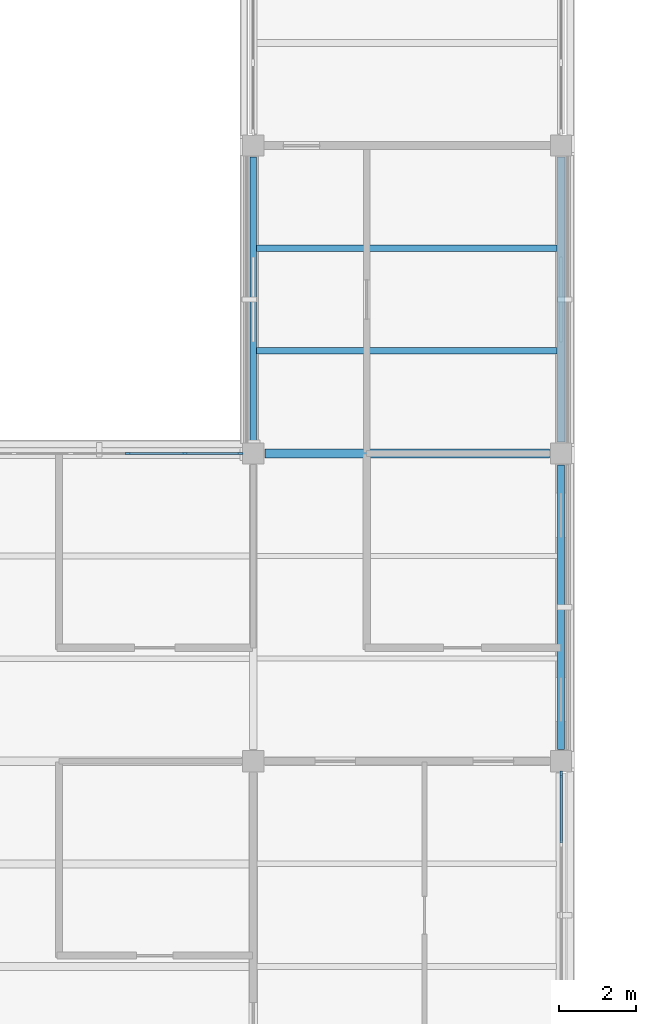
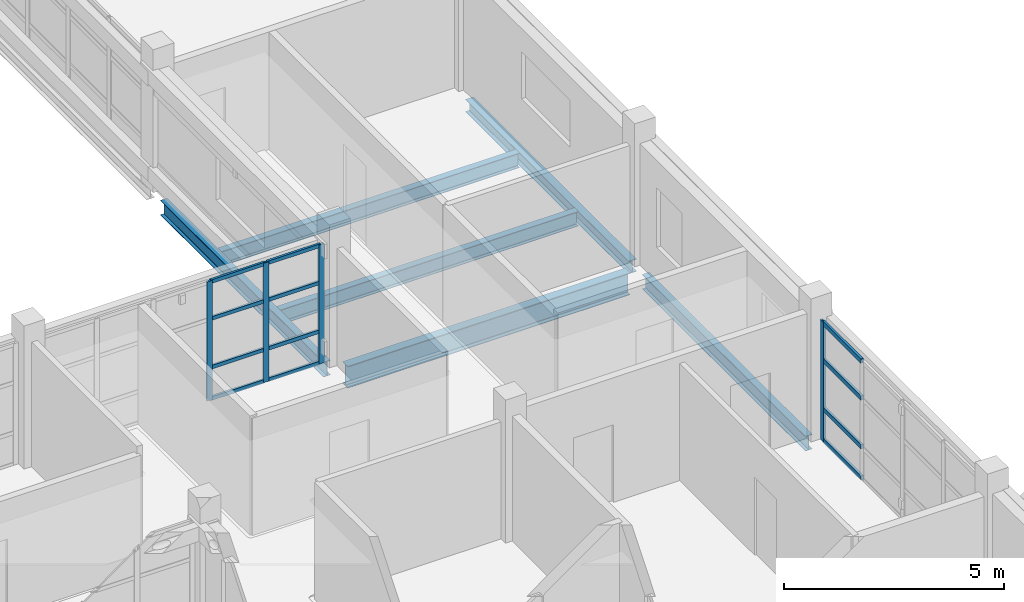
# One storey, part 48 of 107: 16 members, 6 beams, 2 elements without a shape of their own.
"""IFC4 building model written with IfcOpenShell, lengths in metres."""

import ifcopenshell
import ifcopenshell.guid

model = None  # the IFC model being written
_history = None  # IfcOwnerHistory: only IFC2X3 demands one
_inside = {}  # id of a spatial element -> (the spatial element, [elements in it])
_under = {}  # id of a project, library or spatial element -> (it, [spatial elements below it])
_declared = {}  # id of a project -> (the project, [libraries it declares])
_typed = {}  # id of a type object -> (the type object, [elements of that type])
_made_of = {}  # id of a material, layer set ... -> (it, [elements and type objects made of it])


def new_model(schema):
    """Start an empty IFC model of exactly this schema.

    Asked for "IFC4X3", IfcOpenShell would pick the latest addendum, in which some entities
    have other attributes; the version numbers below select the first issue.
    IFC2X3 requires an IfcOwnerHistory on every rooted entity: one is made here for all.
    """
    global model, _history
    if schema == "IFC4X3":
        model = ifcopenshell.file(schema_version=(4, 3, 0, 0))
    else:
        model = ifcopenshell.file(schema=schema)
    _inside.clear()
    _under.clear()
    _declared.clear()
    _typed.clear()
    _made_of.clear()
    _history = None
    if model.schema == "IFC2X3":
        org = make("IfcOrganization", Name="unknown")
        user = make(
            "IfcPersonAndOrganization",
            ThePerson=make("IfcPerson", FamilyName="unknown"),
            TheOrganization=org,
        )
        app = make(
            "IfcApplication",
            ApplicationDeveloper=org,
            Version="unknown",
            ApplicationFullName="unknown",
            ApplicationIdentifier="unknown",
        )
        _history = make(
            "IfcOwnerHistory",
            OwningUser=user,
            OwningApplication=app,
            ChangeAction="ADDED",
            CreationDate=0,
        )
    return model


def make(cls, **values):
    """One entity of the class cls with the attributes given. An attribute that is None is left unset."""
    return model.create_entity(
        cls, **{name: value for name, value in values.items() if value is not None}
    )


def rooted(cls, **values):
    """An entity with a GlobalId (a new one), such as an element, a storey or a relation."""
    return make(cls, GlobalId=ifcopenshell.guid.new(), OwnerHistory=_history, **values)


def si_unit(unit_type, name, prefix=None):
    """IfcSIUnit, for example si_unit("LENGTHUNIT", "METRE", prefix="MILLI")."""
    return make("IfcSIUnit", UnitType=unit_type, Prefix=prefix, Name=name)


def derived_unit(unit_type, elements):
    """IfcDerivedUnit: a product of units, each with its exponent."""
    return make(
        "IfcDerivedUnit",
        Elements=[
            make("IfcDerivedUnitElement", Unit=unit, Exponent=power)
            for unit, power in elements
        ],
        UnitType=unit_type,
    )


def assignment(units):
    """IfcUnitAssignment: the units of a project."""
    return None if units is None else make("IfcUnitAssignment", Units=units)


def point(xyz):
    """IfcCartesianPoint."""
    return None if xyz is None else make("IfcCartesianPoint", Coordinates=xyz)


def direction(xyz):
    """IfcDirection."""
    return None if xyz is None else make("IfcDirection", DirectionRatios=xyz)


def frame(location, z_axis=None, x_axis=None):
    """IfcAxis2Placement3D, a coordinate frame: its origin and axes. An axis left out is left unset."""
    return make(
        "IfcAxis2Placement3D",
        Location=point(location),
        Axis=direction(z_axis),
        RefDirection=direction(x_axis),
    )


def frame_2d(location, x_axis=None):
    """IfcAxis2Placement2D, a coordinate frame in the plane: its origin and x axis."""
    return make(
        "IfcAxis2Placement2D", Location=point(location), RefDirection=direction(x_axis)
    )


def origin():
    """The frame at (0, 0, 0) with its axes left unset."""
    return frame((0.0, 0.0, 0.0))


def origin_2d():
    """The frame at (0, 0) in the plane with its x axis left unset."""
    return frame_2d((0.0, 0.0))


def place(relative_to, where):
    """IfcLocalPlacement: puts the frame where relative to a parent placement (None: the world)."""
    return make(
        "IfcLocalPlacement", PlacementRelTo=relative_to, RelativePlacement=where
    )


def context(
    kind, dimensions, precision=None, world=None, true_north=None, identifier=None
):
    """IfcGeometricRepresentationContext, for example the 3D "Model" context."""
    return make(
        "IfcGeometricRepresentationContext",
        ContextIdentifier=identifier,
        ContextType=kind,
        CoordinateSpaceDimension=dimensions,
        Precision=precision,
        WorldCoordinateSystem=world,
        TrueNorth=true_north,
    )


def subcontext(parent, identifier, kind, view, scale=None):
    """IfcGeometricRepresentationSubContext, for example "Body" below "Model"."""
    return make(
        "IfcGeometricRepresentationSubContext",
        ContextIdentifier=identifier,
        ContextType=kind,
        ParentContext=parent,
        TargetScale=scale,
        TargetView=view,
    )


def project(units=None, contexts=None):
    """IfcProject with its units and contexts."""
    return rooted(
        "IfcProject",
        Name="project",
        RepresentationContexts=contexts,
        UnitsInContext=assignment(units),
    )


def spatial(cls, under=None, at=None, **own):
    """A site, building, storey or space (cls), placed at a placement, below another one or the project."""
    s = rooted(cls, ObjectPlacement=at, **own)
    if under is not None:
        _under.setdefault(under.id(), (under, []))[1].append(s)
    return s


def profile(cls, at=None, kind="AREA", **sizes):
    """A parametric profile (cls). Its sizes go by their IFC names, for example OverallWidth=200.0."""
    return make(cls, ProfileType=kind, Position=at, **sizes)


def rectangle(**sizes):
    """IfcRectangleProfileDef."""
    return profile("IfcRectangleProfileDef", **sizes)


def i_section(**sizes):
    """IfcIShapeProfileDef."""
    return profile("IfcIShapeProfileDef", **sizes)


def extrude(swept, where, along, depth):
    """IfcExtrudedAreaSolid: the profile swept, set in the frame where, extruded along a direction by depth."""
    return make(
        "IfcExtrudedAreaSolid",
        SweptArea=swept,
        Position=where,
        ExtrudedDirection=direction(along),
        Depth=depth,
    )


def shape(context_of_items, identifier, shape_type, items):
    """IfcShapeRepresentation: the items that make up one representation, for example the "Body"."""
    return make(
        "IfcShapeRepresentation",
        ContextOfItems=context_of_items,
        RepresentationIdentifier=identifier,
        RepresentationType=shape_type,
        Items=items,
    )


def material(Name=None, Category=None):
    """IfcMaterial."""
    return make("IfcMaterial", Name=Name, Category=Category)


def layer(
    of_material, thickness, ventilated=None, Name=None, Category=None, Priority=None
):
    """IfcMaterialLayer: one layer of a wall or slab, of a material (None: an air gap)."""
    return make(
        "IfcMaterialLayer",
        Material=of_material,
        LayerThickness=thickness,
        IsVentilated=ventilated,
        Name=Name,
        Category=Category,
        Priority=Priority,
    )


def layer_set(layers, Name=None):
    """IfcMaterialLayerSet."""
    return make("IfcMaterialLayerSet", MaterialLayers=layers, LayerSetName=Name)


def material_profile(
    of_material, cross_section, Name=None, Category=None, Priority=None
):
    """IfcMaterialProfile: a cross section and its material."""
    return make(
        "IfcMaterialProfile",
        Name=Name,
        Material=of_material,
        Profile=cross_section,
        Priority=Priority,
        Category=Category,
    )


def profile_set(profiles, Name=None, composite=None):
    """IfcMaterialProfileSet."""
    return make(
        "IfcMaterialProfileSet",
        Name=Name,
        MaterialProfiles=profiles,
        CompositeProfile=composite,
    )


def made_of(thing, what):
    """Note that an element or type object is made of a material, layer set ...; save() writes the relation."""
    if what is not None:
        _made_of.setdefault(what.id(), (what, []))[1].append(thing)
    return thing


def type_object(cls, material=None, **own):
    """A type object (cls), such as IfcWallType, which elements share."""
    return made_of(rooted(cls, **own), material)


def element(
    cls,
    number,
    at=None,
    inside=None,
    cuts=None,
    type_object=None,
    material=None,
    context=None,
    identifier="Body",
    shape_type=None,
    held_by="IfcProductDefinitionShape",
    body=None,
    shapes=None,
    **own,
):
    """One element of the class cls, such as IfcWall. Its Tag is "e" and its number.

    at: its placement. inside: the storey or other place that contains it. cuts: it is an
    opening in that element (IfcRelVoidsElement). A single representation is given by context,
    identifier, shape_type and body (its items); several are given by shapes. held_by: the class
    of the entity that holds the representations. save() writes the other relations.
    """
    e = rooted(cls, Tag="e%d" % number, ObjectPlacement=at, **own)
    if body is not None:
        shapes = [shape(context, identifier, shape_type, body)]
    if shapes is not None:
        e.Representation = make(held_by, Representations=shapes)
    if inside is not None:
        _inside.setdefault(inside.id(), (inside, []))[1].append(e)
    if cuts is not None:
        rooted(
            "IfcRelVoidsElement", RelatingBuildingElement=cuts, RelatedOpeningElement=e
        )
    if type_object is not None:
        _typed.setdefault(type_object.id(), (type_object, []))[1].append(e)
    return made_of(e, material)


def aggregate(whole, parts):
    """IfcRelAggregates: a whole, such as a stair, and the parts it consists of."""
    return rooted("IfcRelAggregates", RelatingObject=whole, RelatedObjects=parts)


def save(model, path):
    """Write the relations noted so far, then the file.

    IfcRelAggregates (storeys below a building ...), IfcRelContainedInSpatialStructure (elements
    in a storey), IfcRelDefinesByType, IfcRelAssociatesMaterial and IfcRelDeclares: one each for
    every whole, place, type object, material and project.
    """
    for whole, parts in _under.values():
        aggregate(whole, parts)
    for where, things in _inside.values():
        rooted(
            "IfcRelContainedInSpatialStructure",
            RelatedElements=things,
            RelatingStructure=where,
        )
    for kind, things in _typed.values():
        rooted("IfcRelDefinesByType", RelatedObjects=things, RelatingType=kind)
    for what, things in _made_of.values():
        rooted("IfcRelAssociatesMaterial", RelatedObjects=things, RelatingMaterial=what)
    for by, libraries in _declared.values():
        rooted("IfcRelDeclares", RelatingContext=by, RelatedDefinitions=libraries)
    model.write(path)


model = new_model("IFC4")

# Units and contexts
model_context = context("Model", 3, precision=1e-05, world=origin(), true_north=direction((0.0, 1.0)))
body_context = subcontext(model_context, "Body", "Model", "MODEL_VIEW")
ifc_project = project(units=[si_unit("LENGTHUNIT", "METRE"), si_unit("AREAUNIT", "SQUARE_METRE"), si_unit("VOLUMEUNIT", "CUBIC_METRE"), si_unit("PLANEANGLEUNIT", "RADIAN"), si_unit("MASSUNIT", "GRAM", prefix="KILO"), derived_unit("THERMALTRANSMITTANCEUNIT", [(si_unit("MASSUNIT", "GRAM", prefix="KILO"), 1), (si_unit("TIMEUNIT", "SECOND"), -3), (si_unit("THERMODYNAMICTEMPERATUREUNIT", "KELVIN"), -1)])], contexts=[model_context])

# Site, building, storey
site_placement = place(None, origin())
site = spatial("IfcSite", under=ifc_project, at=site_placement, CompositionType="ELEMENT")
building_placement = place(site_placement, origin())
building = spatial("IfcBuilding", under=site, at=building_placement, Name="Veyamyaing Civic Hall", CompositionType="ELEMENT")
storey_placement = place(building_placement, frame((0.0, 0.0, 13.860107421875)))
storey = spatial("IfcBuildingStorey", under=building, at=storey_placement, Name="L03", CompositionType="ELEMENT", Elevation=13.860107421875)

# Beams
ifc_material_1 = material(Name="Steel ASTM A992", Category="steel")
ifc_material_profile_1 = material_profile(ifc_material_1, i_section(OverallWidth=0.22802734375, OverallDepth=0.60791015625, WebThickness=0.01123046875, FlangeThickness=0.017333984375, FilletRadius=0.012939453125, at=origin_2d()), Name="W610X113")
ifc_profile_set_1 = profile_set([ifc_material_profile_1], Name="Steel ASTM A992")
beam_type_1 = type_object("IfcBeamType", Name="B-06", PredefinedType="BEAM", material=ifc_profile_set_1)
beam_1_placement = place(storey_placement, frame((168.300048828125, 56.0, -0.55908203125), z_axis=(1.0, 0.0, 0.0), x_axis=(0.0, 1.0, 0.0)))
element("IfcBeam", 1, at=beam_1_placement, inside=storey, type_object=beam_type_1, Name="Girder B-06 L03 Grid H 22-23", PredefinedType="BEAM", context=body_context, shape_type="SweptSolid", body=[
    extrude(i_section(OverallWidth=0.22802734375, OverallDepth=0.60791015625, WebThickness=0.01123046875, FlangeThickness=0.017333984375, FilletRadius=0.012939453125, at=origin_2d()), origin(), (0.0, 0.0, 1.0), 7.39990234375),
])
ifc_material_profile_2 = material_profile(ifc_material_1, i_section(OverallWidth=0.179931640625, OverallDepth=0.4130859375, WebThickness=0.009765625, FlangeThickness=0.01611328125, FilletRadius=0.010009765625, at=origin_2d()), Name="W410X74")
ifc_profile_set_2 = profile_set([ifc_material_profile_2], Name="Steel ASTM A992")
beam_type_2 = type_object("IfcBeamType", Name="B-10", PredefinedType="SPANDREL", material=ifc_profile_set_2)
for number, where, z_axis, x_axis, name in (
    (2, (168.0, 56.300048828125, -0.461669921875), (0.0, 1.0, 0.0), (-1.0, 0.0, 0.0), "Girder B-10 L03 Grid 22 H-J"),
    (3, (176.0, 48.300048828125, -0.461669921875), (0.0, 1.0, 0.0), (-1.0, 0.0, 0.0), "Girder B-10 L03 Grid 23 G-H"),
):
    element("IfcBeam", number, at=place(storey_placement, frame(where, z_axis=z_axis, x_axis=x_axis)), inside=storey, type_object=beam_type_2, Name=name, PredefinedType="SPANDREL", context=body_context, shape_type="SweptSolid", body=[
        extrude(i_section(OverallWidth=0.179931640625, OverallDepth=0.4130859375, WebThickness=0.009765625, FlangeThickness=0.01611328125, FilletRadius=0.010009765625, at=origin_2d()), origin(), (0.0, 0.0, 1.0), 7.39990234375),
    ])
ifc_material_profile_3 = material_profile(ifc_material_1, i_section(OverallWidth=0.2041015625, OverallDepth=0.35009765625, WebThickness=0.0078125, FlangeThickness=0.01513671875, FilletRadius=0.010009765625, at=origin_2d()), Name="W360X72")
ifc_profile_set_3 = profile_set([ifc_material_profile_3], Name="Steel ASTM A992")
beam_type_3 = type_object("IfcBeamType", Name="B-11", PredefinedType="SPANDREL", material=ifc_profile_set_3)
beam_2_placement = place(storey_placement, frame((176.0, 56.300048828125, -0.43017578125), z_axis=(0.0, 1.0, 0.0), x_axis=(-1.0, 0.0, 0.0)))
element("IfcBeam", 4, at=beam_2_placement, inside=storey, type_object=beam_type_3, Name="Girder B-11 L03 Grid 23 H-J", PredefinedType="SPANDREL", context=body_context, shape_type="SweptSolid", body=[
    extrude(i_section(OverallWidth=0.2041015625, OverallDepth=0.35009765625, WebThickness=0.0078125, FlangeThickness=0.01513671875, FilletRadius=0.010009765625, at=origin_2d()), origin(), (0.0, 0.0, 1.0), 7.39990234375),
])

# Curtain wall, member
ifc_material_2 = material(Name="Anodised aluminium 6063-T6", Category="aluminium")
ifc_layer_1 = layer(ifc_material_2, 0.159912109375, Name="Anodised aluminium 6063-T6")
ifc_layer_set_1 = layer_set([ifc_layer_1], Name="Anodised aluminium 6063-T6")
curtain_wall_type_1 = type_object("IfcCurtainWallType", Name="CW-07", PredefinedType="NOTDEFINED", material=ifc_layer_set_1)
curtain_wall_1_placement = place(storey_placement, origin())
curtain_wall_1 = element("IfcCurtainWall", 5, at=curtain_wall_1_placement, inside=storey, type_object=curtain_wall_type_1, Name="Unitized curtain wall CW-07 L03 E 22.6", PredefinedType="NOTDEFINED")
ifc_material_profile_4 = material_profile(ifc_material_2, rectangle(XDim=0.06494140625, YDim=0.159912109375, at=origin_2d()), Name="ALU-MUL-65X160")
ifc_profile_set_4 = profile_set([ifc_material_profile_4], Name="Anodised aluminium 6063-T6")
member_type_1 = type_object("IfcMemberType", Name="CWM-01", PredefinedType="MULLION", material=ifc_profile_set_4)
member_1_placement = place(storey_placement, frame((176.0, 47.66259765625, 0.0), z_axis=(0.0, 0.0, 1.0), x_axis=(-1.0, 0.0, 0.0)))
member_1 = element("IfcMember", 6, at=member_1_placement, type_object=member_type_1, Name="CW-07 mullion 5", PredefinedType="MULLION", context=body_context, shape_type="SweptSolid", body=[
    extrude(rectangle(XDim=0.06494140625, YDim=0.159912109375, at=origin_2d()), origin(), (0.0, 0.0, 1.0), 3.303955078125),
])

# Curtain wall, members
ifc_layer_2 = layer(ifc_material_2, 0.139892578125, Name="Anodised aluminium 6063-T6")
ifc_layer_set_2 = layer_set([ifc_layer_2], Name="Anodised aluminium 6063-T6")
curtain_wall_type_2 = type_object("IfcCurtainWallType", Name="CW-04", PredefinedType="NOTDEFINED", material=ifc_layer_set_2)
curtain_wall_2_placement = place(storey_placement, origin())
curtain_wall_2 = element("IfcCurtainWall", 7, at=curtain_wall_2_placement, inside=storey, type_object=curtain_wall_type_2, Name="Unitized curtain wall CW-04 L03 N 21.7", PredefinedType="NOTDEFINED")
ifc_material_profile_5 = material_profile(ifc_material_2, rectangle(XDim=0.06005859375, YDim=0.139892578125, at=origin_2d()), Name="ALU-MUL-60X140")
ifc_profile_set_5 = profile_set([ifc_material_profile_5], Name="Anodised aluminium 6063-T6")
member_type_2 = type_object("IfcMemberType", Name="CWM-03", PredefinedType="MULLION", material=ifc_profile_set_5)
member_2_placement = place(storey_placement, frame((164.739013671875, 56.0, 0.0), z_axis=(0.0, 0.0, 1.0), x_axis=(0.0, 1.0, 0.0)))
member_2 = element("IfcMember", 8, at=member_2_placement, type_object=member_type_2, Name="CW-04 mullion 4", PredefinedType="MULLION", context=body_context, shape_type="SweptSolid", body=[
    extrude(rectangle(XDim=0.06005859375, YDim=0.139892578125, at=origin_2d()), origin(), (0.0, 0.0, 1.0), 3.303955078125),
])
member_3_placement = place(storey_placement, frame((166.217041015625, 56.0, 0.0), z_axis=(0.0, 0.0, 1.0), x_axis=(0.0, 1.0, 0.0)))
member_3 = element("IfcMember", 9, at=member_3_placement, type_object=member_type_2, Name="CW-04 mullion 5", PredefinedType="MULLION", context=body_context, shape_type="SweptSolid", body=[
    extrude(rectangle(XDim=0.06005859375, YDim=0.139892578125, at=origin_2d()), origin(), (0.0, 0.0, 1.0), 3.303955078125),
])
member_4_placement = place(storey_placement, frame((167.6650390625, 56.0, 0.0), z_axis=(0.0, 0.0, 1.0), x_axis=(0.0, 1.0, 0.0)))
member_4 = element("IfcMember", 10, at=member_4_placement, type_object=member_type_2, Name="CW-04 mullion 6", PredefinedType="MULLION", context=body_context, shape_type="SweptSolid", body=[
    extrude(rectangle(XDim=0.06005859375, YDim=0.139892578125, at=origin_2d()), origin(), (0.0, 0.0, 1.0), 3.303955078125),
])

# Member
ifc_material_profile_6 = material_profile(ifc_material_2, rectangle(XDim=0.06494140625, YDim=0.1201171875, at=origin_2d()), Name="ALU-TRN-65X120")
ifc_profile_set_6 = profile_set([ifc_material_profile_6], Name="Anodised aluminium 6063-T6")
member_type_3 = type_object("IfcMemberType", Name="CWT-01", PredefinedType="USERDEFINED", material=ifc_profile_set_6)
member_5_placement = place(storey_placement, frame((176.0, 45.8798828125, 0.032470703125), z_axis=(0.0, 1.0, 0.0), x_axis=(-1.0, 0.0, 0.0)))
member_5 = element("IfcMember", 11, at=member_5_placement, type_object=member_type_3, Name="CW-07 transom 4.1", ObjectType="TRANSOM", PredefinedType="USERDEFINED", context=body_context, shape_type="SweptSolid", body=[
    extrude(rectangle(XDim=0.06494140625, YDim=0.1201171875, at=origin_2d()), origin(), (0.0, 0.0, 1.0), 1.75),
])

member_6_placement = place(storey_placement, frame((176.0, 45.8798828125, 0.89990234375), z_axis=(0.0, 1.0, 0.0), x_axis=(-1.0, 0.0, 0.0)))
member_6 = element("IfcMember", 12, at=member_6_placement, type_object=member_type_3, Name="CW-07 transom 4.2", ObjectType="TRANSOM", PredefinedType="USERDEFINED", context=body_context, shape_type="SweptSolid", body=[
    extrude(rectangle(XDim=0.06494140625, YDim=0.1201171875, at=origin_2d()), origin(), (0.0, 0.0, 1.0), 1.75),
])

member_7_placement = place(storey_placement, frame((176.0, 45.8798828125, 2.24658203125), z_axis=(0.0, 1.0, 0.0), x_axis=(-1.0, 0.0, 0.0)))
member_7 = element("IfcMember", 13, at=member_7_placement, type_object=member_type_3, Name="CW-07 transom 4.3", ObjectType="TRANSOM", PredefinedType="USERDEFINED", context=body_context, shape_type="SweptSolid", body=[
    extrude(rectangle(XDim=0.06494140625, YDim=0.1201171875, at=origin_2d()), origin(), (0.0, 0.0, 1.0), 1.75),
])

member_8_placement = place(storey_placement, frame((176.0, 45.8798828125, 3.271484375), z_axis=(0.0, 1.0, 0.0), x_axis=(-1.0, 0.0, 0.0)))
member_8 = element("IfcMember", 14, at=member_8_placement, type_object=member_type_3, Name="CW-07 transom 4.4", ObjectType="TRANSOM", PredefinedType="USERDEFINED", context=body_context, shape_type="SweptSolid", body=[
    extrude(rectangle(XDim=0.06494140625, YDim=0.1201171875, at=origin_2d()), origin(), (0.0, 0.0, 1.0), 1.75),
])

aggregate(curtain_wall_1, [member_1, member_5, member_6, member_7, member_8])

ifc_material_profile_7 = material_profile(ifc_material_2, rectangle(XDim=0.06005859375, YDim=0.10009765625, at=origin_2d()), Name="ALU-TRN-60X100")
ifc_profile_set_7 = profile_set([ifc_material_profile_7], Name="Anodised aluminium 6063-T6")
member_type_4 = type_object("IfcMemberType", Name="CWT-03", PredefinedType="USERDEFINED", material=ifc_profile_set_7)
member_9_placement = place(storey_placement, frame((164.76904296875, 56.0, 0.02978515625), z_axis=(1.0, 0.0, 0.0), x_axis=(0.0, 1.0, 0.0)))
member_9 = element("IfcMember", 15, at=member_9_placement, type_object=member_type_4, Name="CW-04 transom 4.1", ObjectType="TRANSOM", PredefinedType="USERDEFINED", context=body_context, shape_type="SweptSolid", body=[
    extrude(rectangle(XDim=0.06005859375, YDim=0.10009765625, at=origin_2d()), origin(), (0.0, 0.0, 1.0), 1.41796875),
])

member_10_placement = place(storey_placement, frame((164.76904296875, 56.0, 0.89990234375), z_axis=(1.0, 0.0, 0.0), x_axis=(0.0, 1.0, 0.0)))
member_10 = element("IfcMember", 16, at=member_10_placement, type_object=member_type_4, Name="CW-04 transom 4.2", ObjectType="TRANSOM", PredefinedType="USERDEFINED", context=body_context, shape_type="SweptSolid", body=[
    extrude(rectangle(XDim=0.06005859375, YDim=0.10009765625, at=origin_2d()), origin(), (0.0, 0.0, 1.0), 1.41796875),
])

member_11_placement = place(storey_placement, frame((164.76904296875, 56.0, 2.24658203125), z_axis=(1.0, 0.0, 0.0), x_axis=(0.0, 1.0, 0.0)))
member_11 = element("IfcMember", 17, at=member_11_placement, type_object=member_type_4, Name="CW-04 transom 4.3", ObjectType="TRANSOM", PredefinedType="USERDEFINED", context=body_context, shape_type="SweptSolid", body=[
    extrude(rectangle(XDim=0.06005859375, YDim=0.10009765625, at=origin_2d()), origin(), (0.0, 0.0, 1.0), 1.41796875),
])

member_12_placement = place(storey_placement, frame((164.76904296875, 56.0, 3.27392578125), z_axis=(1.0, 0.0, 0.0), x_axis=(0.0, 1.0, 0.0)))
member_12 = element("IfcMember", 18, at=member_12_placement, type_object=member_type_4, Name="CW-04 transom 4.4", ObjectType="TRANSOM", PredefinedType="USERDEFINED", context=body_context, shape_type="SweptSolid", body=[
    extrude(rectangle(XDim=0.06005859375, YDim=0.10009765625, at=origin_2d()), origin(), (0.0, 0.0, 1.0), 1.41796875),
])

member_13_placement = place(storey_placement, frame((166.2470703125, 56.0, 0.02978515625), z_axis=(1.0, 0.0, 0.0), x_axis=(0.0, 1.0, 0.0)))
member_13 = element("IfcMember", 19, at=member_13_placement, type_object=member_type_4, Name="CW-04 transom 5.1", ObjectType="TRANSOM", PredefinedType="USERDEFINED", context=body_context, shape_type="SweptSolid", body=[
    extrude(rectangle(XDim=0.06005859375, YDim=0.10009765625, at=origin_2d()), origin(), (0.0, 0.0, 1.0), 1.387939453125),
])

member_14_placement = place(storey_placement, frame((166.2470703125, 56.0, 0.89990234375), z_axis=(1.0, 0.0, 0.0), x_axis=(0.0, 1.0, 0.0)))
member_14 = element("IfcMember", 20, at=member_14_placement, type_object=member_type_4, Name="CW-04 transom 5.2", ObjectType="TRANSOM", PredefinedType="USERDEFINED", context=body_context, shape_type="SweptSolid", body=[
    extrude(rectangle(XDim=0.06005859375, YDim=0.10009765625, at=origin_2d()), origin(), (0.0, 0.0, 1.0), 1.387939453125),
])

member_15_placement = place(storey_placement, frame((166.2470703125, 56.0, 2.24658203125), z_axis=(1.0, 0.0, 0.0), x_axis=(0.0, 1.0, 0.0)))
member_15 = element("IfcMember", 21, at=member_15_placement, type_object=member_type_4, Name="CW-04 transom 5.3", ObjectType="TRANSOM", PredefinedType="USERDEFINED", context=body_context, shape_type="SweptSolid", body=[
    extrude(rectangle(XDim=0.06005859375, YDim=0.10009765625, at=origin_2d()), origin(), (0.0, 0.0, 1.0), 1.387939453125),
])

member_16_placement = place(storey_placement, frame((166.2470703125, 56.0, 3.27392578125), z_axis=(1.0, 0.0, 0.0), x_axis=(0.0, 1.0, 0.0)))
member_16 = element("IfcMember", 22, at=member_16_placement, type_object=member_type_4, Name="CW-04 transom 5.4", ObjectType="TRANSOM", PredefinedType="USERDEFINED", context=body_context, shape_type="SweptSolid", body=[
    extrude(rectangle(XDim=0.06005859375, YDim=0.10009765625, at=origin_2d()), origin(), (0.0, 0.0, 1.0), 1.387939453125),
])

aggregate(curtain_wall_2, [member_2, member_3, member_4, member_9, member_10, member_11, member_12, member_13, member_14, member_15, member_16])

# Beams
ifc_material_profile_8 = material_profile(ifc_material_1, i_section(OverallWidth=0.177978515625, OverallDepth=0.406982421875, WebThickness=0.0078125, FlangeThickness=0.0126953125, FilletRadius=0.010009765625, at=origin_2d()), Name="W410X60")
ifc_profile_set_8 = profile_set([ifc_material_profile_8], Name="Steel ASTM A992")
beam_type_4 = type_object("IfcBeamType", Name="J-01", PredefinedType="JOIST", material=ifc_profile_set_8)
for number, where, z_axis, x_axis, name in (
    (23, (168.087890625, 58.666748046875, -0.45849609375), (1.0, 0.0, 0.0), (0.0, 1.0, 0.0), "Composite floor joist J-01 L03 22.8.1"),
    (24, (168.087890625, 61.333251953125, -0.45849609375), (1.0, 0.0, 0.0), (0.0, 1.0, 0.0), "Composite floor joist J-01 L03 22.8.2"),
):
    element("IfcBeam", number, at=place(storey_placement, frame(where, z_axis=z_axis, x_axis=x_axis)), inside=storey, type_object=beam_type_4, Name=name, PredefinedType="JOIST", context=body_context, shape_type="SweptSolid", body=[
        extrude(i_section(OverallWidth=0.177978515625, OverallDepth=0.406982421875, WebThickness=0.0078125, FlangeThickness=0.0126953125, FilletRadius=0.010009765625, at=origin_2d()), origin(), (0.0, 0.0, 1.0), 7.81201171875),
    ])

save(model, "model.ifc")
